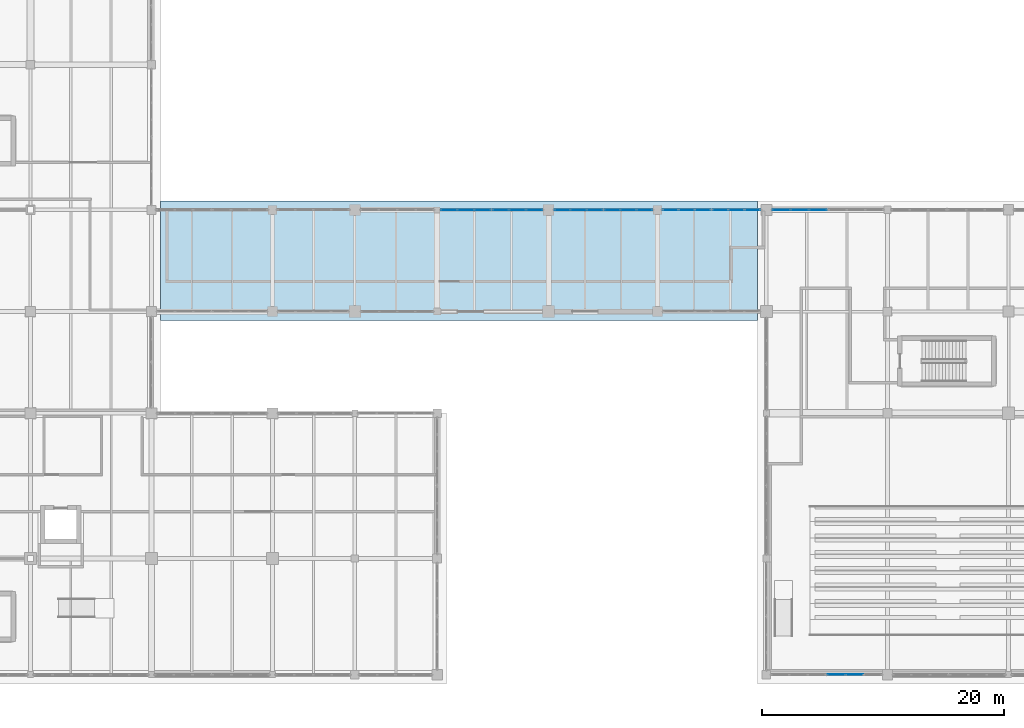
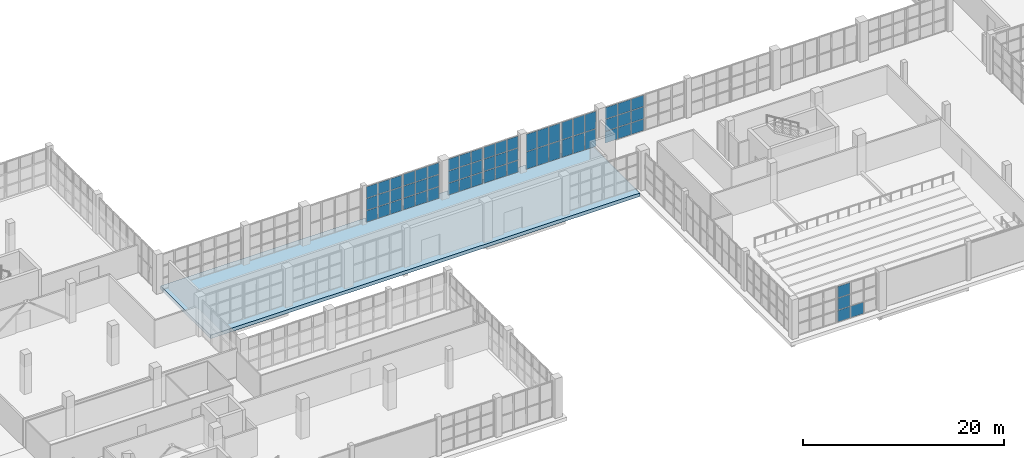
# One storey, part 90 of 121: 61 plates, 1 slab, 8 elements without a shape of their own.
"""IFC4 building model written with IfcOpenShell, lengths in metres."""

import ifcopenshell
import ifcopenshell.guid

model = None  # the IFC model being written
_history = None  # IfcOwnerHistory: only IFC2X3 demands one
_inside = {}  # id of a spatial element -> (the spatial element, [elements in it])
_under = {}  # id of a project, library or spatial element -> (it, [spatial elements below it])
_declared = {}  # id of a project -> (the project, [libraries it declares])
_typed = {}  # id of a type object -> (the type object, [elements of that type])
_made_of = {}  # id of a material, layer set ... -> (it, [elements and type objects made of it])


def new_model(schema):
    """Start an empty IFC model of exactly this schema.

    Asked for "IFC4X3", IfcOpenShell would pick the latest addendum, in which some entities
    have other attributes; the version numbers below select the first issue.
    IFC2X3 requires an IfcOwnerHistory on every rooted entity: one is made here for all.
    """
    global model, _history
    if schema == "IFC4X3":
        model = ifcopenshell.file(schema_version=(4, 3, 0, 0))
    else:
        model = ifcopenshell.file(schema=schema)
    _inside.clear()
    _under.clear()
    _declared.clear()
    _typed.clear()
    _made_of.clear()
    _history = None
    if model.schema == "IFC2X3":
        org = make("IfcOrganization", Name="unknown")
        user = make(
            "IfcPersonAndOrganization",
            ThePerson=make("IfcPerson", FamilyName="unknown"),
            TheOrganization=org,
        )
        app = make(
            "IfcApplication",
            ApplicationDeveloper=org,
            Version="unknown",
            ApplicationFullName="unknown",
            ApplicationIdentifier="unknown",
        )
        _history = make(
            "IfcOwnerHistory",
            OwningUser=user,
            OwningApplication=app,
            ChangeAction="ADDED",
            CreationDate=0,
        )
    return model


def make(cls, **values):
    """One entity of the class cls with the attributes given. An attribute that is None is left unset."""
    return model.create_entity(
        cls, **{name: value for name, value in values.items() if value is not None}
    )


def rooted(cls, **values):
    """An entity with a GlobalId (a new one), such as an element, a storey or a relation."""
    return make(cls, GlobalId=ifcopenshell.guid.new(), OwnerHistory=_history, **values)


def si_unit(unit_type, name, prefix=None):
    """IfcSIUnit, for example si_unit("LENGTHUNIT", "METRE", prefix="MILLI")."""
    return make("IfcSIUnit", UnitType=unit_type, Prefix=prefix, Name=name)


def assignment(units):
    """IfcUnitAssignment: the units of a project."""
    return None if units is None else make("IfcUnitAssignment", Units=units)


def point(xyz):
    """IfcCartesianPoint."""
    return None if xyz is None else make("IfcCartesianPoint", Coordinates=xyz)


def direction(xyz):
    """IfcDirection."""
    return None if xyz is None else make("IfcDirection", DirectionRatios=xyz)


def frame(location, z_axis=None, x_axis=None):
    """IfcAxis2Placement3D, a coordinate frame: its origin and axes. An axis left out is left unset."""
    return make(
        "IfcAxis2Placement3D",
        Location=point(location),
        Axis=direction(z_axis),
        RefDirection=direction(x_axis),
    )


def frame_2d(location, x_axis=None):
    """IfcAxis2Placement2D, a coordinate frame in the plane: its origin and x axis."""
    return make(
        "IfcAxis2Placement2D", Location=point(location), RefDirection=direction(x_axis)
    )


def origin():
    """The frame at (0, 0, 0) with its axes left unset."""
    return frame((0.0, 0.0, 0.0))


def origin_2d():
    """The frame at (0, 0) in the plane with its x axis left unset."""
    return frame_2d((0.0, 0.0))


def place(relative_to, where):
    """IfcLocalPlacement: puts the frame where relative to a parent placement (None: the world)."""
    return make(
        "IfcLocalPlacement", PlacementRelTo=relative_to, RelativePlacement=where
    )


def context(
    kind, dimensions, precision=None, world=None, true_north=None, identifier=None
):
    """IfcGeometricRepresentationContext, for example the 3D "Model" context."""
    return make(
        "IfcGeometricRepresentationContext",
        ContextIdentifier=identifier,
        ContextType=kind,
        CoordinateSpaceDimension=dimensions,
        Precision=precision,
        WorldCoordinateSystem=world,
        TrueNorth=true_north,
    )


def subcontext(parent, identifier, kind, view, scale=None):
    """IfcGeometricRepresentationSubContext, for example "Body" below "Model"."""
    return make(
        "IfcGeometricRepresentationSubContext",
        ContextIdentifier=identifier,
        ContextType=kind,
        ParentContext=parent,
        TargetScale=scale,
        TargetView=view,
    )


def project(units=None, contexts=None):
    """IfcProject with its units and contexts."""
    return rooted(
        "IfcProject",
        Name="project",
        RepresentationContexts=contexts,
        UnitsInContext=assignment(units),
    )


def spatial(cls, under=None, at=None, **own):
    """A site, building, storey or space (cls), placed at a placement, below another one or the project."""
    s = rooted(cls, ObjectPlacement=at, **own)
    if under is not None:
        _under.setdefault(under.id(), (under, []))[1].append(s)
    return s


def polyline(points):
    """IfcPolyline through the points."""
    return make("IfcPolyline", Points=[point(p) for p in points])


def profile(cls, at=None, kind="AREA", **sizes):
    """A parametric profile (cls). Its sizes go by their IFC names, for example OverallWidth=200.0."""
    return make(cls, ProfileType=kind, Position=at, **sizes)


def rectangle(**sizes):
    """IfcRectangleProfileDef."""
    return profile("IfcRectangleProfileDef", **sizes)


def outline(outer, holes=None, kind="AREA"):
    """IfcArbitraryClosedProfileDef: a profile drawn as a closed curve; with holes, ...WithVoids."""
    if holes is None:
        return make("IfcArbitraryClosedProfileDef", ProfileType=kind, OuterCurve=outer)
    return make(
        "IfcArbitraryProfileDefWithVoids",
        ProfileType=kind,
        OuterCurve=outer,
        InnerCurves=holes,
    )


def extrude(swept, where, along, depth):
    """IfcExtrudedAreaSolid: the profile swept, set in the frame where, extruded along a direction by depth."""
    return make(
        "IfcExtrudedAreaSolid",
        SweptArea=swept,
        Position=where,
        ExtrudedDirection=direction(along),
        Depth=depth,
    )


def shape(context_of_items, identifier, shape_type, items):
    """IfcShapeRepresentation: the items that make up one representation, for example the "Body"."""
    return make(
        "IfcShapeRepresentation",
        ContextOfItems=context_of_items,
        RepresentationIdentifier=identifier,
        RepresentationType=shape_type,
        Items=items,
    )


def material(Name=None, Category=None):
    """IfcMaterial."""
    return make("IfcMaterial", Name=Name, Category=Category)


def layer(
    of_material, thickness, ventilated=None, Name=None, Category=None, Priority=None
):
    """IfcMaterialLayer: one layer of a wall or slab, of a material (None: an air gap)."""
    return make(
        "IfcMaterialLayer",
        Material=of_material,
        LayerThickness=thickness,
        IsVentilated=ventilated,
        Name=Name,
        Category=Category,
        Priority=Priority,
    )


def layer_set(layers, Name=None):
    """IfcMaterialLayerSet."""
    return make("IfcMaterialLayerSet", MaterialLayers=layers, LayerSetName=Name)


def made_of(thing, what):
    """Note that an element or type object is made of a material, layer set ...; save() writes the relation."""
    if what is not None:
        _made_of.setdefault(what.id(), (what, []))[1].append(thing)
    return thing


def type_object(cls, material=None, **own):
    """A type object (cls), such as IfcWallType, which elements share."""
    return made_of(rooted(cls, **own), material)


def element(
    cls,
    number,
    at=None,
    inside=None,
    cuts=None,
    type_object=None,
    material=None,
    context=None,
    identifier="Body",
    shape_type=None,
    held_by="IfcProductDefinitionShape",
    body=None,
    shapes=None,
    **own,
):
    """One element of the class cls, such as IfcWall. Its Tag is "e" and its number.

    at: its placement. inside: the storey or other place that contains it. cuts: it is an
    opening in that element (IfcRelVoidsElement). A single representation is given by context,
    identifier, shape_type and body (its items); several are given by shapes. held_by: the class
    of the entity that holds the representations. save() writes the other relations.
    """
    e = rooted(cls, Tag="e%d" % number, ObjectPlacement=at, **own)
    if body is not None:
        shapes = [shape(context, identifier, shape_type, body)]
    if shapes is not None:
        e.Representation = make(held_by, Representations=shapes)
    if inside is not None:
        _inside.setdefault(inside.id(), (inside, []))[1].append(e)
    if cuts is not None:
        rooted(
            "IfcRelVoidsElement", RelatingBuildingElement=cuts, RelatedOpeningElement=e
        )
    if type_object is not None:
        _typed.setdefault(type_object.id(), (type_object, []))[1].append(e)
    return made_of(e, material)


def aggregate(whole, parts):
    """IfcRelAggregates: a whole, such as a stair, and the parts it consists of."""
    return rooted("IfcRelAggregates", RelatingObject=whole, RelatedObjects=parts)


def save(model, path):
    """Write the relations noted so far, then the file.

    IfcRelAggregates (storeys below a building ...), IfcRelContainedInSpatialStructure (elements
    in a storey), IfcRelDefinesByType, IfcRelAssociatesMaterial and IfcRelDeclares: one each for
    every whole, place, type object, material and project.
    """
    for whole, parts in _under.values():
        aggregate(whole, parts)
    for where, things in _inside.values():
        rooted(
            "IfcRelContainedInSpatialStructure",
            RelatedElements=things,
            RelatingStructure=where,
        )
    for kind, things in _typed.values():
        rooted("IfcRelDefinesByType", RelatedObjects=things, RelatingType=kind)
    for what, things in _made_of.values():
        rooted("IfcRelAssociatesMaterial", RelatedObjects=things, RelatingMaterial=what)
    for by, libraries in _declared.values():
        rooted("IfcRelDeclares", RelatingContext=by, RelatedDefinitions=libraries)
    model.write(path)


model = new_model("IFC4")

# Units and contexts
model_context = context("Model", 3, precision=1e-05, world=origin(), true_north=direction((0.0, 1.0)))
body_context = subcontext(model_context, "Body", "Model", "MODEL_VIEW")
ifc_project = project(units=[si_unit("LENGTHUNIT", "METRE"), si_unit("AREAUNIT", "SQUARE_METRE"), si_unit("VOLUMEUNIT", "CUBIC_METRE"), si_unit("PLANEANGLEUNIT", "RADIAN"), si_unit("MASSUNIT", "GRAM", prefix="KILO")], contexts=[model_context])

# Site, building, storey
site_placement = place(None, origin())
site = spatial("IfcSite", under=ifc_project, at=site_placement, CompositionType="ELEMENT")
building_placement = place(site_placement, origin())
building = spatial("IfcBuilding", under=site, at=building_placement, Name="Zereglee Splitstone Museum", CompositionType="ELEMENT")
storey_placement = place(building_placement, origin())
storey = spatial("IfcBuildingStorey", under=building, at=storey_placement, Name="L00", CompositionType="ELEMENT", Elevation=0.0)

# Curtain wall, plates
ifc_material_1 = material(Name="Triple-glazed low-E argon glass and bronze-anodised aluminium", Category="aluminium")
ifc_layer_1 = layer(ifc_material_1, 0.179931640625)
ifc_layer_set_1 = layer_set([ifc_layer_1], Name="Triple-glazed low-E argon glass and bronze-anodised aluminium")
curtain_wall_type_1 = type_object("IfcCurtainWallType", Name="CW-0456-442", PredefinedType="USERDEFINED", material=ifc_layer_set_1)
curtain_wall_1_placement = place(storey_placement, origin())
curtain_wall_1 = element("IfcCurtainWall", 1, at=curtain_wall_1_placement, inside=storey, type_object=curtain_wall_type_1, Name="Glazed Curtain Wall CW-0456-442 (L00)", ObjectType="GLAZED CURTAIN WALL", PredefinedType="USERDEFINED")
ifc_material_2 = material(Name="Triple low-e argon insulated safety glass", Category="glass")
ifc_layer_2 = layer(ifc_material_2, 0.035888671875)
ifc_layer_set_2 = layer_set([ifc_layer_2], Name="Triple low-e argon insulated safety glass")
plate_type = type_object("IfcPlateType", Name="CWP-01", PredefinedType="CURTAIN_PANEL", material=ifc_layer_set_2)
plate_1_placement = place(storey_placement, frame((261.779541015625, 0.0, 0.06494140625), z_axis=(0.0, 0.0, 1.0), x_axis=(1.0, 0.0, 0.0)))
plate_1 = element("IfcPlate", 2, at=plate_1_placement, type_object=plate_type, Name="CW-0456-442 panel 1.1", PredefinedType="CURTAIN_PANEL", context=body_context, shape_type="SweptSolid", body=[
    extrude(rectangle(XDim=1.424072265625, YDim=0.035888671875, at=origin_2d()), origin(), (0.0, 0.0, 1.0), 1.375732421875),
])
plate_2_placement = place(storey_placement, frame((261.779541015625, 0.0, 1.505859375), z_axis=(0.0, 0.0, 1.0), x_axis=(1.0, 0.0, 0.0)))
plate_2 = element("IfcPlate", 3, at=plate_2_placement, type_object=plate_type, Name="CW-0456-442 panel 1.2", PredefinedType="CURTAIN_PANEL", context=body_context, shape_type="SweptSolid", body=[
    extrude(rectangle(XDim=1.424072265625, YDim=0.035888671875, at=origin_2d()), origin(), (0.0, 0.0, 1.0), 1.408447265625),
])
plate_3_placement = place(storey_placement, frame((261.779541015625, 0.0, 2.97900390625), z_axis=(0.0, 0.0, 1.0), x_axis=(1.0, 0.0, 0.0)))
plate_3 = element("IfcPlate", 4, at=plate_3_placement, type_object=plate_type, Name="CW-0456-442 panel 1.3", PredefinedType="CURTAIN_PANEL", context=body_context, shape_type="SweptSolid", body=[
    extrude(rectangle(XDim=1.424072265625, YDim=0.035888671875, at=origin_2d()), origin(), (0.0, 0.0, 1.0), 1.375732421875),
])
plate_4_placement = place(storey_placement, frame((263.28466796875, 0.0, 0.06494140625), z_axis=(0.0, 0.0, 1.0), x_axis=(1.0, 0.0, 0.0)))
plate_4 = element("IfcPlate", 5, at=plate_4_placement, type_object=plate_type, Name="CW-0456-442 panel 2.1", PredefinedType="CURTAIN_PANEL", context=body_context, shape_type="SweptSolid", body=[
    extrude(rectangle(XDim=1.45654296875, YDim=0.035888671875, at=origin_2d()), origin(), (0.0, 0.0, 1.0), 1.375732421875),
])
aggregate(curtain_wall_1, [plate_1, plate_2, plate_3, plate_4])

ifc_layer_3 = layer(ifc_material_1, 0.179931640625)
ifc_layer_set_3 = layer_set([ifc_layer_3], Name="Triple-glazed low-E argon glass and bronze-anodised aluminium")
curtain_wall_type_2 = type_object("IfcCurtainWallType", Name="CW-0458-442", PredefinedType="USERDEFINED", material=ifc_layer_set_3)
curtain_wall_2_placement = place(storey_placement, origin())
curtain_wall_2 = element("IfcCurtainWall", 6, at=curtain_wall_2_placement, inside=storey, type_object=curtain_wall_type_2, Name="Glazed Curtain Wall CW-0458-442 (L00)", ObjectType="GLAZED CURTAIN WALL", PredefinedType="USERDEFINED")
plate_5_placement = place(storey_placement, frame((260.255859375, 38.39990234375, 0.06494140625), z_axis=(0.0, 0.0, 1.0), x_axis=(-1.0, 0.0, 0.0)))
plate_5 = element("IfcPlate", 7, at=plate_5_placement, type_object=plate_type, Name="CW-0458-442 panel 1.1", PredefinedType="CURTAIN_PANEL", context=body_context, shape_type="SweptSolid", body=[
    extrude(rectangle(XDim=1.42822265625, YDim=0.035888671875, at=origin_2d()), origin(), (0.0, 0.0, 1.0), 1.375732421875),
])
plate_6_placement = place(storey_placement, frame((260.255859375, 38.39990234375, 1.505859375), z_axis=(0.0, 0.0, 1.0), x_axis=(-1.0, 0.0, 0.0)))
plate_6 = element("IfcPlate", 8, at=plate_6_placement, type_object=plate_type, Name="CW-0458-442 panel 1.2", PredefinedType="CURTAIN_PANEL", context=body_context, shape_type="SweptSolid", body=[
    extrude(rectangle(XDim=1.42822265625, YDim=0.035888671875, at=origin_2d()), origin(), (0.0, 0.0, 1.0), 1.408447265625),
])
plate_7_placement = place(storey_placement, frame((260.255859375, 38.39990234375, 2.97900390625), z_axis=(0.0, 0.0, 1.0), x_axis=(-1.0, 0.0, 0.0)))
plate_7 = element("IfcPlate", 9, at=plate_7_placement, type_object=plate_type, Name="CW-0458-442 panel 1.3", PredefinedType="CURTAIN_PANEL", context=body_context, shape_type="SweptSolid", body=[
    extrude(rectangle(XDim=1.42822265625, YDim=0.035888671875, at=origin_2d()), origin(), (0.0, 0.0, 1.0), 1.375732421875),
])
plate_8_placement = place(storey_placement, frame((258.74658203125, 38.39990234375, 0.06494140625), z_axis=(0.0, 0.0, 1.0), x_axis=(-1.0, 0.0, 0.0)))
plate_8 = element("IfcPlate", 10, at=plate_8_placement, type_object=plate_type, Name="CW-0458-442 panel 2.1", PredefinedType="CURTAIN_PANEL", context=body_context, shape_type="SweptSolid", body=[
    extrude(rectangle(XDim=1.460693359375, YDim=0.035888671875, at=origin_2d()), origin(), (0.0, 0.0, 1.0), 1.375732421875),
])
plate_9_placement = place(storey_placement, frame((258.74658203125, 38.39990234375, 1.505859375), z_axis=(0.0, 0.0, 1.0), x_axis=(-1.0, 0.0, 0.0)))
plate_9 = element("IfcPlate", 11, at=plate_9_placement, type_object=plate_type, Name="CW-0458-442 panel 2.2", PredefinedType="CURTAIN_PANEL", context=body_context, shape_type="SweptSolid", body=[
    extrude(rectangle(XDim=1.460693359375, YDim=0.035888671875, at=origin_2d()), origin(), (0.0, 0.0, 1.0), 1.408447265625),
])
plate_10_placement = place(storey_placement, frame((258.74658203125, 38.39990234375, 2.97900390625), z_axis=(0.0, 0.0, 1.0), x_axis=(-1.0, 0.0, 0.0)))
plate_10 = element("IfcPlate", 12, at=plate_10_placement, type_object=plate_type, Name="CW-0458-442 panel 2.3", PredefinedType="CURTAIN_PANEL", context=body_context, shape_type="SweptSolid", body=[
    extrude(rectangle(XDim=1.460693359375, YDim=0.035888671875, at=origin_2d()), origin(), (0.0, 0.0, 1.0), 1.375732421875),
])
plate_11_placement = place(storey_placement, frame((257.237060546875, 38.39990234375, 0.06494140625), z_axis=(0.0, 0.0, 1.0), x_axis=(-1.0, 0.0, 0.0)))
plate_11 = element("IfcPlate", 13, at=plate_11_placement, type_object=plate_type, Name="CW-0458-442 panel 3.1", PredefinedType="CURTAIN_PANEL", context=body_context, shape_type="SweptSolid", body=[
    extrude(rectangle(XDim=1.42822265625, YDim=0.035888671875, at=origin_2d()), origin(), (0.0, 0.0, 1.0), 1.375732421875),
])
plate_12_placement = place(storey_placement, frame((257.237060546875, 38.39990234375, 1.505859375), z_axis=(0.0, 0.0, 1.0), x_axis=(-1.0, 0.0, 0.0)))
plate_12 = element("IfcPlate", 14, at=plate_12_placement, type_object=plate_type, Name="CW-0458-442 panel 3.2", PredefinedType="CURTAIN_PANEL", context=body_context, shape_type="SweptSolid", body=[
    extrude(rectangle(XDim=1.42822265625, YDim=0.035888671875, at=origin_2d()), origin(), (0.0, 0.0, 1.0), 1.408447265625),
])
plate_13_placement = place(storey_placement, frame((257.237060546875, 38.39990234375, 2.97900390625), z_axis=(0.0, 0.0, 1.0), x_axis=(-1.0, 0.0, 0.0)))
plate_13 = element("IfcPlate", 15, at=plate_13_placement, type_object=plate_type, Name="CW-0458-442 panel 3.3", PredefinedType="CURTAIN_PANEL", context=body_context, shape_type="SweptSolid", body=[
    extrude(rectangle(XDim=1.42822265625, YDim=0.035888671875, at=origin_2d()), origin(), (0.0, 0.0, 1.0), 1.375732421875),
])
aggregate(curtain_wall_2, [plate_5, plate_6, plate_7, plate_8, plate_9, plate_10, plate_11, plate_12, plate_13])

ifc_layer_4 = layer(ifc_material_1, 0.179931640625)
ifc_layer_set_4 = layer_set([ifc_layer_4], Name="Triple-glazed low-E argon glass and bronze-anodised aluminium")
curtain_wall_type_3 = type_object("IfcCurtainWallType", Name="CW-0404-438", PredefinedType="USERDEFINED", material=ifc_layer_set_4)
curtain_wall_3_placement = place(storey_placement, origin())
curtain_wall_3 = element("IfcCurtainWall", 16, at=curtain_wall_3_placement, inside=storey, type_object=curtain_wall_type_3, Name="Glazed Curtain Wall CW-0404-438 (L00)", ObjectType="GLAZED CURTAIN WALL", PredefinedType="USERDEFINED")
plate_14_placement = place(storey_placement, frame((254.8525390625, 38.39990234375, 0.06494140625), z_axis=(0.0, 0.0, 1.0), x_axis=(-1.0, 0.0, 0.0)))
plate_14 = element("IfcPlate", 17, at=plate_14_placement, type_object=plate_type, Name="CW-0404-438 panel 1.1", PredefinedType="CURTAIN_PANEL", context=body_context, shape_type="SweptSolid", body=[
    extrude(rectangle(XDim=1.2490234375, YDim=0.035888671875, at=origin_2d()), origin(), (0.0, 0.0, 1.0), 2.092529296875),
])
plate_15_placement = place(storey_placement, frame((254.8525390625, 38.39990234375, 2.22265625), z_axis=(0.0, 0.0, 1.0), x_axis=(-1.0, 0.0, 0.0)))
plate_15 = element("IfcPlate", 18, at=plate_15_placement, type_object=plate_type, Name="CW-0404-438 panel 1.2", PredefinedType="CURTAIN_PANEL", context=body_context, shape_type="SweptSolid", body=[
    extrude(rectangle(XDim=1.2490234375, YDim=0.035888671875, at=origin_2d()), origin(), (0.0, 0.0, 1.0), 2.092529296875),
])
plate_16_placement = place(storey_placement, frame((253.522216796875, 38.39990234375, 0.06494140625), z_axis=(0.0, 0.0, 1.0), x_axis=(-1.0, 0.0, 0.0)))
plate_16 = element("IfcPlate", 19, at=plate_16_placement, type_object=plate_type, Name="CW-0404-438 panel 2.1", PredefinedType="CURTAIN_PANEL", context=body_context, shape_type="SweptSolid", body=[
    extrude(rectangle(XDim=1.281494140625, YDim=0.035888671875, at=origin_2d()), origin(), (0.0, 0.0, 1.0), 2.092529296875),
])
plate_17_placement = place(storey_placement, frame((253.522216796875, 38.39990234375, 2.22265625), z_axis=(0.0, 0.0, 1.0), x_axis=(-1.0, 0.0, 0.0)))
plate_17 = element("IfcPlate", 20, at=plate_17_placement, type_object=plate_type, Name="CW-0404-438 panel 2.2", PredefinedType="CURTAIN_PANEL", context=body_context, shape_type="SweptSolid", body=[
    extrude(rectangle(XDim=1.281494140625, YDim=0.035888671875, at=origin_2d()), origin(), (0.0, 0.0, 1.0), 2.092529296875),
])
plate_18_placement = place(storey_placement, frame((252.19189453125, 38.39990234375, 0.06494140625), z_axis=(0.0, 0.0, 1.0), x_axis=(-1.0, 0.0, 0.0)))
plate_18 = element("IfcPlate", 21, at=plate_18_placement, type_object=plate_type, Name="CW-0404-438 panel 3.1", PredefinedType="CURTAIN_PANEL", context=body_context, shape_type="SweptSolid", body=[
    extrude(rectangle(XDim=1.2490234375, YDim=0.035888671875, at=origin_2d()), origin(), (0.0, 0.0, 1.0), 2.092529296875),
])
plate_19_placement = place(storey_placement, frame((252.19189453125, 38.39990234375, 2.22265625), z_axis=(0.0, 0.0, 1.0), x_axis=(-1.0, 0.0, 0.0)))
plate_19 = element("IfcPlate", 22, at=plate_19_placement, type_object=plate_type, Name="CW-0404-438 panel 3.2", PredefinedType="CURTAIN_PANEL", context=body_context, shape_type="SweptSolid", body=[
    extrude(rectangle(XDim=1.2490234375, YDim=0.035888671875, at=origin_2d()), origin(), (0.0, 0.0, 1.0), 2.092529296875),
])
aggregate(curtain_wall_3, [plate_14, plate_15, plate_16, plate_17, plate_18, plate_19])

ifc_layer_5 = layer(ifc_material_1, 0.179931640625)
ifc_layer_set_5 = layer_set([ifc_layer_5], Name="Triple-glazed low-E argon glass and bronze-anodised aluminium")
curtain_wall_type_4 = type_object("IfcCurtainWallType", Name="CW-0404-436", PredefinedType="USERDEFINED", material=ifc_layer_set_5)
curtain_wall_4_placement = place(storey_placement, origin())
curtain_wall_4 = element("IfcCurtainWall", 23, at=curtain_wall_4_placement, inside=storey, type_object=curtain_wall_type_4, Name="Glazed Curtain Wall CW-0404-436 (L00)", ObjectType="GLAZED CURTAIN WALL", PredefinedType="USERDEFINED")
plate_20_placement = place(storey_placement, frame((250.73291015625, 38.39990234375, 0.06494140625), z_axis=(0.0, 0.0, 1.0), x_axis=(-1.0, 0.0, 0.0)))
plate_20 = element("IfcPlate", 24, at=plate_20_placement, type_object=plate_type, Name="CW-0404-436 panel 1.1", PredefinedType="CURTAIN_PANEL", context=body_context, shape_type="SweptSolid", body=[
    extrude(rectangle(XDim=1.2490234375, YDim=0.035888671875, at=origin_2d()), origin(), (0.0, 0.0, 1.0), 2.08251953125),
])
plate_21_placement = place(storey_placement, frame((250.73291015625, 38.39990234375, 2.21240234375), z_axis=(0.0, 0.0, 1.0), x_axis=(-1.0, 0.0, 0.0)))
plate_21 = element("IfcPlate", 25, at=plate_21_placement, type_object=plate_type, Name="CW-0404-436 panel 1.2", PredefinedType="CURTAIN_PANEL", context=body_context, shape_type="SweptSolid", body=[
    extrude(rectangle(XDim=1.2490234375, YDim=0.035888671875, at=origin_2d()), origin(), (0.0, 0.0, 1.0), 2.08251953125),
])
plate_22_placement = place(storey_placement, frame((249.40283203125, 38.39990234375, 0.06494140625), z_axis=(0.0, 0.0, 1.0), x_axis=(-1.0, 0.0, 0.0)))
plate_22 = element("IfcPlate", 26, at=plate_22_placement, type_object=plate_type, Name="CW-0404-436 panel 2.1", PredefinedType="CURTAIN_PANEL", context=body_context, shape_type="SweptSolid", body=[
    extrude(rectangle(XDim=1.281494140625, YDim=0.035888671875, at=origin_2d()), origin(), (0.0, 0.0, 1.0), 2.08251953125),
])
plate_23_placement = place(storey_placement, frame((249.40283203125, 38.39990234375, 2.21240234375), z_axis=(0.0, 0.0, 1.0), x_axis=(-1.0, 0.0, 0.0)))
plate_23 = element("IfcPlate", 27, at=plate_23_placement, type_object=plate_type, Name="CW-0404-436 panel 2.2", PredefinedType="CURTAIN_PANEL", context=body_context, shape_type="SweptSolid", body=[
    extrude(rectangle(XDim=1.281494140625, YDim=0.035888671875, at=origin_2d()), origin(), (0.0, 0.0, 1.0), 2.08251953125),
])
plate_24_placement = place(storey_placement, frame((248.072509765625, 38.39990234375, 0.06494140625), z_axis=(0.0, 0.0, 1.0), x_axis=(-1.0, 0.0, 0.0)))
plate_24 = element("IfcPlate", 28, at=plate_24_placement, type_object=plate_type, Name="CW-0404-436 panel 3.1", PredefinedType="CURTAIN_PANEL", context=body_context, shape_type="SweptSolid", body=[
    extrude(rectangle(XDim=1.2490234375, YDim=0.035888671875, at=origin_2d()), origin(), (0.0, 0.0, 1.0), 2.08251953125),
])
plate_25_placement = place(storey_placement, frame((248.072509765625, 38.39990234375, 2.21240234375), z_axis=(0.0, 0.0, 1.0), x_axis=(-1.0, 0.0, 0.0)))
plate_25 = element("IfcPlate", 29, at=plate_25_placement, type_object=plate_type, Name="CW-0404-436 panel 3.2", PredefinedType="CURTAIN_PANEL", context=body_context, shape_type="SweptSolid", body=[
    extrude(rectangle(XDim=1.2490234375, YDim=0.035888671875, at=origin_2d()), origin(), (0.0, 0.0, 1.0), 2.08251953125),
])
aggregate(curtain_wall_4, [plate_20, plate_21, plate_22, plate_23, plate_24, plate_25])

ifc_layer_6 = layer(ifc_material_1, 0.179931640625)
ifc_layer_set_6 = layer_set([ifc_layer_6], Name="Triple-glazed low-E argon glass and bronze-anodised aluminium")
curtain_wall_type_5 = type_object("IfcCurtainWallType", Name="CW-0404-450", PredefinedType="USERDEFINED", material=ifc_layer_set_6)
curtain_wall_5_placement = place(storey_placement, origin())
curtain_wall_5 = element("IfcCurtainWall", 30, at=curtain_wall_5_placement, inside=storey, type_object=curtain_wall_type_5, Name="Glazed Curtain Wall CW-0404-450 (L00)", ObjectType="GLAZED CURTAIN WALL", PredefinedType="USERDEFINED")
plate_26_placement = place(storey_placement, frame((245.927490234375, 38.39990234375, 0.06494140625), z_axis=(0.0, 0.0, 1.0), x_axis=(-1.0, 0.0, 0.0)))
plate_26 = element("IfcPlate", 31, at=plate_26_placement, type_object=plate_type, Name="CW-0404-450 panel 1.1", PredefinedType="CURTAIN_PANEL", context=body_context, shape_type="SweptSolid", body=[
    extrude(rectangle(XDim=1.2490234375, YDim=0.035888671875, at=origin_2d()), origin(), (0.0, 0.0, 1.0), 1.402587890625),
])
plate_27_placement = place(storey_placement, frame((245.927490234375, 38.39990234375, 1.532470703125), z_axis=(0.0, 0.0, 1.0), x_axis=(-1.0, 0.0, 0.0)))
plate_27 = element("IfcPlate", 32, at=plate_27_placement, type_object=plate_type, Name="CW-0404-450 panel 1.2", PredefinedType="CURTAIN_PANEL", context=body_context, shape_type="SweptSolid", body=[
    extrude(rectangle(XDim=1.2490234375, YDim=0.035888671875, at=origin_2d()), origin(), (0.0, 0.0, 1.0), 1.43505859375),
])
plate_28_placement = place(storey_placement, frame((245.927490234375, 38.39990234375, 3.0322265625), z_axis=(0.0, 0.0, 1.0), x_axis=(-1.0, 0.0, 0.0)))
plate_28 = element("IfcPlate", 33, at=plate_28_placement, type_object=plate_type, Name="CW-0404-450 panel 1.3", PredefinedType="CURTAIN_PANEL", context=body_context, shape_type="SweptSolid", body=[
    extrude(rectangle(XDim=1.2490234375, YDim=0.035888671875, at=origin_2d()), origin(), (0.0, 0.0, 1.0), 1.402587890625),
])
plate_29_placement = place(storey_placement, frame((244.59716796875, 38.39990234375, 0.06494140625), z_axis=(0.0, 0.0, 1.0), x_axis=(-1.0, 0.0, 0.0)))
plate_29 = element("IfcPlate", 34, at=plate_29_placement, type_object=plate_type, Name="CW-0404-450 panel 2.1", PredefinedType="CURTAIN_PANEL", context=body_context, shape_type="SweptSolid", body=[
    extrude(rectangle(XDim=1.281494140625, YDim=0.035888671875, at=origin_2d()), origin(), (0.0, 0.0, 1.0), 1.402587890625),
])
plate_30_placement = place(storey_placement, frame((244.59716796875, 38.39990234375, 1.532470703125), z_axis=(0.0, 0.0, 1.0), x_axis=(-1.0, 0.0, 0.0)))
plate_30 = element("IfcPlate", 35, at=plate_30_placement, type_object=plate_type, Name="CW-0404-450 panel 2.2", PredefinedType="CURTAIN_PANEL", context=body_context, shape_type="SweptSolid", body=[
    extrude(rectangle(XDim=1.281494140625, YDim=0.035888671875, at=origin_2d()), origin(), (0.0, 0.0, 1.0), 1.43505859375),
])
plate_31_placement = place(storey_placement, frame((244.59716796875, 38.39990234375, 3.0322265625), z_axis=(0.0, 0.0, 1.0), x_axis=(-1.0, 0.0, 0.0)))
plate_31 = element("IfcPlate", 36, at=plate_31_placement, type_object=plate_type, Name="CW-0404-450 panel 2.3", PredefinedType="CURTAIN_PANEL", context=body_context, shape_type="SweptSolid", body=[
    extrude(rectangle(XDim=1.281494140625, YDim=0.035888671875, at=origin_2d()), origin(), (0.0, 0.0, 1.0), 1.402587890625),
])
plate_32_placement = place(storey_placement, frame((243.26708984375, 38.39990234375, 0.06494140625), z_axis=(0.0, 0.0, 1.0), x_axis=(-1.0, 0.0, 0.0)))
plate_32 = element("IfcPlate", 37, at=plate_32_placement, type_object=plate_type, Name="CW-0404-450 panel 3.1", PredefinedType="CURTAIN_PANEL", context=body_context, shape_type="SweptSolid", body=[
    extrude(rectangle(XDim=1.2490234375, YDim=0.035888671875, at=origin_2d()), origin(), (0.0, 0.0, 1.0), 1.402587890625),
])
plate_33_placement = place(storey_placement, frame((243.26708984375, 38.39990234375, 1.532470703125), z_axis=(0.0, 0.0, 1.0), x_axis=(-1.0, 0.0, 0.0)))
plate_33 = element("IfcPlate", 38, at=plate_33_placement, type_object=plate_type, Name="CW-0404-450 panel 3.2", PredefinedType="CURTAIN_PANEL", context=body_context, shape_type="SweptSolid", body=[
    extrude(rectangle(XDim=1.2490234375, YDim=0.035888671875, at=origin_2d()), origin(), (0.0, 0.0, 1.0), 1.43505859375),
])
plate_34_placement = place(storey_placement, frame((243.26708984375, 38.39990234375, 3.0322265625), z_axis=(0.0, 0.0, 1.0), x_axis=(-1.0, 0.0, 0.0)))
plate_34 = element("IfcPlate", 39, at=plate_34_placement, type_object=plate_type, Name="CW-0404-450 panel 3.3", PredefinedType="CURTAIN_PANEL", context=body_context, shape_type="SweptSolid", body=[
    extrude(rectangle(XDim=1.2490234375, YDim=0.035888671875, at=origin_2d()), origin(), (0.0, 0.0, 1.0), 1.402587890625),
])
aggregate(curtain_wall_5, [plate_26, plate_27, plate_28, plate_29, plate_30, plate_31, plate_32, plate_33, plate_34])

ifc_layer_7 = layer(ifc_material_1, 0.179931640625)
ifc_layer_set_7 = layer_set([ifc_layer_7], Name="Triple-glazed low-E argon glass and bronze-anodised aluminium")
curtain_wall_type_6 = type_object("IfcCurtainWallType", Name="CW-0404-448", PredefinedType="USERDEFINED", material=ifc_layer_set_7)
curtain_wall_6_placement = place(storey_placement, origin())
curtain_wall_6 = element("IfcCurtainWall", 40, at=curtain_wall_6_placement, inside=storey, type_object=curtain_wall_type_6, Name="Glazed Curtain Wall CW-0404-448 (L00)", ObjectType="GLAZED CURTAIN WALL", PredefinedType="USERDEFINED")
plate_35_placement = place(storey_placement, frame((241.80810546875, 38.39990234375, 0.06494140625), z_axis=(0.0, 0.0, 1.0), x_axis=(-1.0, 0.0, 0.0)))
plate_35 = element("IfcPlate", 41, at=plate_35_placement, type_object=plate_type, Name="CW-0404-448 panel 1.1", PredefinedType="CURTAIN_PANEL", context=body_context, shape_type="SweptSolid", body=[
    extrude(rectangle(XDim=1.2490234375, YDim=0.035888671875, at=origin_2d()), origin(), (0.0, 0.0, 1.0), 1.395751953125),
])
plate_36_placement = place(storey_placement, frame((241.80810546875, 38.39990234375, 1.52587890625), z_axis=(0.0, 0.0, 1.0), x_axis=(-1.0, 0.0, 0.0)))
plate_36 = element("IfcPlate", 42, at=plate_36_placement, type_object=plate_type, Name="CW-0404-448 panel 1.2", PredefinedType="CURTAIN_PANEL", context=body_context, shape_type="SweptSolid", body=[
    extrude(rectangle(XDim=1.2490234375, YDim=0.035888671875, at=origin_2d()), origin(), (0.0, 0.0, 1.0), 1.428466796875),
])
plate_37_placement = place(storey_placement, frame((241.80810546875, 38.39990234375, 3.01904296875), z_axis=(0.0, 0.0, 1.0), x_axis=(-1.0, 0.0, 0.0)))
plate_37 = element("IfcPlate", 43, at=plate_37_placement, type_object=plate_type, Name="CW-0404-448 panel 1.3", PredefinedType="CURTAIN_PANEL", context=body_context, shape_type="SweptSolid", body=[
    extrude(rectangle(XDim=1.2490234375, YDim=0.035888671875, at=origin_2d()), origin(), (0.0, 0.0, 1.0), 1.395751953125),
])
plate_38_placement = place(storey_placement, frame((240.477783203125, 38.39990234375, 0.06494140625), z_axis=(0.0, 0.0, 1.0), x_axis=(-1.0, 0.0, 0.0)))
plate_38 = element("IfcPlate", 44, at=plate_38_placement, type_object=plate_type, Name="CW-0404-448 panel 2.1", PredefinedType="CURTAIN_PANEL", context=body_context, shape_type="SweptSolid", body=[
    extrude(rectangle(XDim=1.281494140625, YDim=0.035888671875, at=origin_2d()), origin(), (0.0, 0.0, 1.0), 1.395751953125),
])
plate_39_placement = place(storey_placement, frame((240.477783203125, 38.39990234375, 1.52587890625), z_axis=(0.0, 0.0, 1.0), x_axis=(-1.0, 0.0, 0.0)))
plate_39 = element("IfcPlate", 45, at=plate_39_placement, type_object=plate_type, Name="CW-0404-448 panel 2.2", PredefinedType="CURTAIN_PANEL", context=body_context, shape_type="SweptSolid", body=[
    extrude(rectangle(XDim=1.281494140625, YDim=0.035888671875, at=origin_2d()), origin(), (0.0, 0.0, 1.0), 1.428466796875),
])
plate_40_placement = place(storey_placement, frame((240.477783203125, 38.39990234375, 3.01904296875), z_axis=(0.0, 0.0, 1.0), x_axis=(-1.0, 0.0, 0.0)))
plate_40 = element("IfcPlate", 46, at=plate_40_placement, type_object=plate_type, Name="CW-0404-448 panel 2.3", PredefinedType="CURTAIN_PANEL", context=body_context, shape_type="SweptSolid", body=[
    extrude(rectangle(XDim=1.281494140625, YDim=0.035888671875, at=origin_2d()), origin(), (0.0, 0.0, 1.0), 1.395751953125),
])
plate_41_placement = place(storey_placement, frame((239.1474609375, 38.39990234375, 0.06494140625), z_axis=(0.0, 0.0, 1.0), x_axis=(-1.0, 0.0, 0.0)))
plate_41 = element("IfcPlate", 47, at=plate_41_placement, type_object=plate_type, Name="CW-0404-448 panel 3.1", PredefinedType="CURTAIN_PANEL", context=body_context, shape_type="SweptSolid", body=[
    extrude(rectangle(XDim=1.2490234375, YDim=0.035888671875, at=origin_2d()), origin(), (0.0, 0.0, 1.0), 1.395751953125),
])
plate_42_placement = place(storey_placement, frame((239.1474609375, 38.39990234375, 1.52587890625), z_axis=(0.0, 0.0, 1.0), x_axis=(-1.0, 0.0, 0.0)))
plate_42 = element("IfcPlate", 48, at=plate_42_placement, type_object=plate_type, Name="CW-0404-448 panel 3.2", PredefinedType="CURTAIN_PANEL", context=body_context, shape_type="SweptSolid", body=[
    extrude(rectangle(XDim=1.2490234375, YDim=0.035888671875, at=origin_2d()), origin(), (0.0, 0.0, 1.0), 1.428466796875),
])
plate_43_placement = place(storey_placement, frame((239.1474609375, 38.39990234375, 3.01904296875), z_axis=(0.0, 0.0, 1.0), x_axis=(-1.0, 0.0, 0.0)))
plate_43 = element("IfcPlate", 49, at=plate_43_placement, type_object=plate_type, Name="CW-0404-448 panel 3.3", PredefinedType="CURTAIN_PANEL", context=body_context, shape_type="SweptSolid", body=[
    extrude(rectangle(XDim=1.2490234375, YDim=0.035888671875, at=origin_2d()), origin(), (0.0, 0.0, 1.0), 1.395751953125),
])
aggregate(curtain_wall_6, [plate_35, plate_36, plate_37, plate_38, plate_39, plate_40, plate_41, plate_42, plate_43])

ifc_layer_8 = layer(ifc_material_1, 0.179931640625)
ifc_layer_set_8 = layer_set([ifc_layer_8], Name="Triple-glazed low-E argon glass and bronze-anodised aluminium")
curtain_wall_type_7 = type_object("IfcCurtainWallType", Name="CW-0420-444", PredefinedType="USERDEFINED", material=ifc_layer_set_8)
curtain_wall_7_placement = place(storey_placement, origin())
curtain_wall_7 = element("IfcCurtainWall", 50, at=curtain_wall_7_placement, inside=storey, type_object=curtain_wall_type_7, Name="Glazed Curtain Wall CW-0420-444 (L00)", ObjectType="GLAZED CURTAIN WALL", PredefinedType="USERDEFINED")
plate_44_placement = place(storey_placement, frame((236.825439453125, 38.39990234375, 0.06494140625), z_axis=(0.0, 0.0, 1.0), x_axis=(-1.0, 0.0, 0.0)))
plate_44 = element("IfcPlate", 51, at=plate_44_placement, type_object=plate_type, Name="CW-0420-444 panel 1.1", PredefinedType="CURTAIN_PANEL", context=body_context, shape_type="SweptSolid", body=[
    extrude(rectangle(XDim=1.30322265625, YDim=0.035888671875, at=origin_2d()), origin(), (0.0, 0.0, 1.0), 1.382568359375),
])
plate_45_placement = place(storey_placement, frame((236.825439453125, 38.39990234375, 1.512451171875), z_axis=(0.0, 0.0, 1.0), x_axis=(-1.0, 0.0, 0.0)))
plate_45 = element("IfcPlate", 52, at=plate_45_placement, type_object=plate_type, Name="CW-0420-444 panel 1.2", PredefinedType="CURTAIN_PANEL", context=body_context, shape_type="SweptSolid", body=[
    extrude(rectangle(XDim=1.30322265625, YDim=0.035888671875, at=origin_2d()), origin(), (0.0, 0.0, 1.0), 1.4150390625),
])
plate_46_placement = place(storey_placement, frame((236.825439453125, 38.39990234375, 2.99267578125), z_axis=(0.0, 0.0, 1.0), x_axis=(-1.0, 0.0, 0.0)))
plate_46 = element("IfcPlate", 53, at=plate_46_placement, type_object=plate_type, Name="CW-0420-444 panel 1.3", PredefinedType="CURTAIN_PANEL", context=body_context, shape_type="SweptSolid", body=[
    extrude(rectangle(XDim=1.30322265625, YDim=0.035888671875, at=origin_2d()), origin(), (0.0, 0.0, 1.0), 1.382568359375),
])
plate_47_placement = place(storey_placement, frame((235.44091796875, 38.39990234375, 0.06494140625), z_axis=(0.0, 0.0, 1.0), x_axis=(-1.0, 0.0, 0.0)))
plate_47 = element("IfcPlate", 54, at=plate_47_placement, type_object=plate_type, Name="CW-0420-444 panel 2.1", PredefinedType="CURTAIN_PANEL", context=body_context, shape_type="SweptSolid", body=[
    extrude(rectangle(XDim=1.335693359375, YDim=0.035888671875, at=origin_2d()), origin(), (0.0, 0.0, 1.0), 1.382568359375),
])
plate_48_placement = place(storey_placement, frame((235.44091796875, 38.39990234375, 1.512451171875), z_axis=(0.0, 0.0, 1.0), x_axis=(-1.0, 0.0, 0.0)))
plate_48 = element("IfcPlate", 55, at=plate_48_placement, type_object=plate_type, Name="CW-0420-444 panel 2.2", PredefinedType="CURTAIN_PANEL", context=body_context, shape_type="SweptSolid", body=[
    extrude(rectangle(XDim=1.335693359375, YDim=0.035888671875, at=origin_2d()), origin(), (0.0, 0.0, 1.0), 1.4150390625),
])
plate_49_placement = place(storey_placement, frame((235.44091796875, 38.39990234375, 2.99267578125), z_axis=(0.0, 0.0, 1.0), x_axis=(-1.0, 0.0, 0.0)))
plate_49 = element("IfcPlate", 56, at=plate_49_placement, type_object=plate_type, Name="CW-0420-444 panel 2.3", PredefinedType="CURTAIN_PANEL", context=body_context, shape_type="SweptSolid", body=[
    extrude(rectangle(XDim=1.335693359375, YDim=0.035888671875, at=origin_2d()), origin(), (0.0, 0.0, 1.0), 1.382568359375),
])
plate_50_placement = place(storey_placement, frame((234.056640625, 38.39990234375, 0.06494140625), z_axis=(0.0, 0.0, 1.0), x_axis=(-1.0, 0.0, 0.0)))
plate_50 = element("IfcPlate", 57, at=plate_50_placement, type_object=plate_type, Name="CW-0420-444 panel 3.1", PredefinedType="CURTAIN_PANEL", context=body_context, shape_type="SweptSolid", body=[
    extrude(rectangle(XDim=1.30322265625, YDim=0.035888671875, at=origin_2d()), origin(), (0.0, 0.0, 1.0), 1.382568359375),
])
plate_51_placement = place(storey_placement, frame((234.056640625, 38.39990234375, 1.512451171875), z_axis=(0.0, 0.0, 1.0), x_axis=(-1.0, 0.0, 0.0)))
plate_51 = element("IfcPlate", 58, at=plate_51_placement, type_object=plate_type, Name="CW-0420-444 panel 3.2", PredefinedType="CURTAIN_PANEL", context=body_context, shape_type="SweptSolid", body=[
    extrude(rectangle(XDim=1.30322265625, YDim=0.035888671875, at=origin_2d()), origin(), (0.0, 0.0, 1.0), 1.4150390625),
])
plate_52_placement = place(storey_placement, frame((234.056640625, 38.39990234375, 2.99267578125), z_axis=(0.0, 0.0, 1.0), x_axis=(-1.0, 0.0, 0.0)))
plate_52 = element("IfcPlate", 59, at=plate_52_placement, type_object=plate_type, Name="CW-0420-444 panel 3.3", PredefinedType="CURTAIN_PANEL", context=body_context, shape_type="SweptSolid", body=[
    extrude(rectangle(XDim=1.30322265625, YDim=0.035888671875, at=origin_2d()), origin(), (0.0, 0.0, 1.0), 1.382568359375),
])
aggregate(curtain_wall_7, [plate_44, plate_45, plate_46, plate_47, plate_48, plate_49, plate_50, plate_51, plate_52])

ifc_layer_9 = layer(ifc_material_1, 0.179931640625)
ifc_layer_set_9 = layer_set([ifc_layer_9], Name="Triple-glazed low-E argon glass and bronze-anodised aluminium")
curtain_wall_type_8 = type_object("IfcCurtainWallType", Name="CW-0420-442", PredefinedType="USERDEFINED", material=ifc_layer_set_9)
curtain_wall_8_placement = place(storey_placement, origin())
curtain_wall_8 = element("IfcCurtainWall", 60, at=curtain_wall_8_placement, inside=storey, type_object=curtain_wall_type_8, Name="Glazed Curtain Wall CW-0420-442 (L00)", ObjectType="GLAZED CURTAIN WALL", PredefinedType="USERDEFINED")
plate_53_placement = place(storey_placement, frame((232.54345703125, 38.39990234375, 0.06494140625), z_axis=(0.0, 0.0, 1.0), x_axis=(-1.0, 0.0, 0.0)))
plate_53 = element("IfcPlate", 61, at=plate_53_placement, type_object=plate_type, Name="CW-0420-442 panel 1.1", PredefinedType="CURTAIN_PANEL", context=body_context, shape_type="SweptSolid", body=[
    extrude(rectangle(XDim=1.30322265625, YDim=0.035888671875, at=origin_2d()), origin(), (0.0, 0.0, 1.0), 1.375732421875),
])
plate_54_placement = place(storey_placement, frame((232.54345703125, 38.39990234375, 1.505859375), z_axis=(0.0, 0.0, 1.0), x_axis=(-1.0, 0.0, 0.0)))
plate_54 = element("IfcPlate", 62, at=plate_54_placement, type_object=plate_type, Name="CW-0420-442 panel 1.2", PredefinedType="CURTAIN_PANEL", context=body_context, shape_type="SweptSolid", body=[
    extrude(rectangle(XDim=1.30322265625, YDim=0.035888671875, at=origin_2d()), origin(), (0.0, 0.0, 1.0), 1.408447265625),
])
plate_55_placement = place(storey_placement, frame((232.54345703125, 38.39990234375, 2.97900390625), z_axis=(0.0, 0.0, 1.0), x_axis=(-1.0, 0.0, 0.0)))
plate_55 = element("IfcPlate", 63, at=plate_55_placement, type_object=plate_type, Name="CW-0420-442 panel 1.3", PredefinedType="CURTAIN_PANEL", context=body_context, shape_type="SweptSolid", body=[
    extrude(rectangle(XDim=1.30322265625, YDim=0.035888671875, at=origin_2d()), origin(), (0.0, 0.0, 1.0), 1.375732421875),
])
plate_56_placement = place(storey_placement, frame((231.158935546875, 38.39990234375, 0.06494140625), z_axis=(0.0, 0.0, 1.0), x_axis=(-1.0, 0.0, 0.0)))
plate_56 = element("IfcPlate", 64, at=plate_56_placement, type_object=plate_type, Name="CW-0420-442 panel 2.1", PredefinedType="CURTAIN_PANEL", context=body_context, shape_type="SweptSolid", body=[
    extrude(rectangle(XDim=1.335693359375, YDim=0.035888671875, at=origin_2d()), origin(), (0.0, 0.0, 1.0), 1.375732421875),
])
plate_57_placement = place(storey_placement, frame((231.158935546875, 38.39990234375, 1.505859375), z_axis=(0.0, 0.0, 1.0), x_axis=(-1.0, 0.0, 0.0)))
plate_57 = element("IfcPlate", 65, at=plate_57_placement, type_object=plate_type, Name="CW-0420-442 panel 2.2", PredefinedType="CURTAIN_PANEL", context=body_context, shape_type="SweptSolid", body=[
    extrude(rectangle(XDim=1.335693359375, YDim=0.035888671875, at=origin_2d()), origin(), (0.0, 0.0, 1.0), 1.408447265625),
])
plate_58_placement = place(storey_placement, frame((231.158935546875, 38.39990234375, 2.97900390625), z_axis=(0.0, 0.0, 1.0), x_axis=(-1.0, 0.0, 0.0)))
plate_58 = element("IfcPlate", 66, at=plate_58_placement, type_object=plate_type, Name="CW-0420-442 panel 2.3", PredefinedType="CURTAIN_PANEL", context=body_context, shape_type="SweptSolid", body=[
    extrude(rectangle(XDim=1.335693359375, YDim=0.035888671875, at=origin_2d()), origin(), (0.0, 0.0, 1.0), 1.375732421875),
])
plate_59_placement = place(storey_placement, frame((229.774658203125, 38.39990234375, 0.06494140625), z_axis=(0.0, 0.0, 1.0), x_axis=(-1.0, 0.0, 0.0)))
plate_59 = element("IfcPlate", 67, at=plate_59_placement, type_object=plate_type, Name="CW-0420-442 panel 3.1", PredefinedType="CURTAIN_PANEL", context=body_context, shape_type="SweptSolid", body=[
    extrude(rectangle(XDim=1.30322265625, YDim=0.035888671875, at=origin_2d()), origin(), (0.0, 0.0, 1.0), 1.375732421875),
])
plate_60_placement = place(storey_placement, frame((229.774658203125, 38.39990234375, 1.505859375), z_axis=(0.0, 0.0, 1.0), x_axis=(-1.0, 0.0, 0.0)))
plate_60 = element("IfcPlate", 68, at=plate_60_placement, type_object=plate_type, Name="CW-0420-442 panel 3.2", PredefinedType="CURTAIN_PANEL", context=body_context, shape_type="SweptSolid", body=[
    extrude(rectangle(XDim=1.30322265625, YDim=0.035888671875, at=origin_2d()), origin(), (0.0, 0.0, 1.0), 1.408447265625),
])
plate_61_placement = place(storey_placement, frame((229.774658203125, 38.39990234375, 2.97900390625), z_axis=(0.0, 0.0, 1.0), x_axis=(-1.0, 0.0, 0.0)))
plate_61 = element("IfcPlate", 69, at=plate_61_placement, type_object=plate_type, Name="CW-0420-442 panel 3.3", PredefinedType="CURTAIN_PANEL", context=body_context, shape_type="SweptSolid", body=[
    extrude(rectangle(XDim=1.30322265625, YDim=0.035888671875, at=origin_2d()), origin(), (0.0, 0.0, 1.0), 1.375732421875),
])
aggregate(curtain_wall_8, [plate_53, plate_54, plate_55, plate_56, plate_57, plate_58, plate_59, plate_60, plate_61])

# Slab
ifc_material_3 = material(Name="Concrete C35/45", Category="concrete")
ifc_layer_10 = layer(ifc_material_3, 0.419921875)
ifc_layer_set_10 = layer_set([ifc_layer_10], Name="Concrete C35/45")
slab_type = type_object("IfcSlabType", Name="FS-01", PredefinedType="FLOOR", material=ifc_layer_set_10)
slab_placement = place(storey_placement, frame((0.0, 0.0, -0.419921875)))
element("IfcSlab", 70, at=slab_placement, inside=storey, type_object=slab_type, Name="Gallery Floor Slab L00-L3", PredefinedType="FLOOR", context=body_context, shape_type="SweptSolid", body=[
    extrude(outline(polyline([(205.949951171875, 29.25), (255.25, 29.25), (255.25, 39.14990234375), (205.949951171875, 39.14990234375), (205.949951171875, 29.25)])), origin(), (0.0, 0.0, 1.0), 0.419921875),
])

save(model, "model.ifc")
